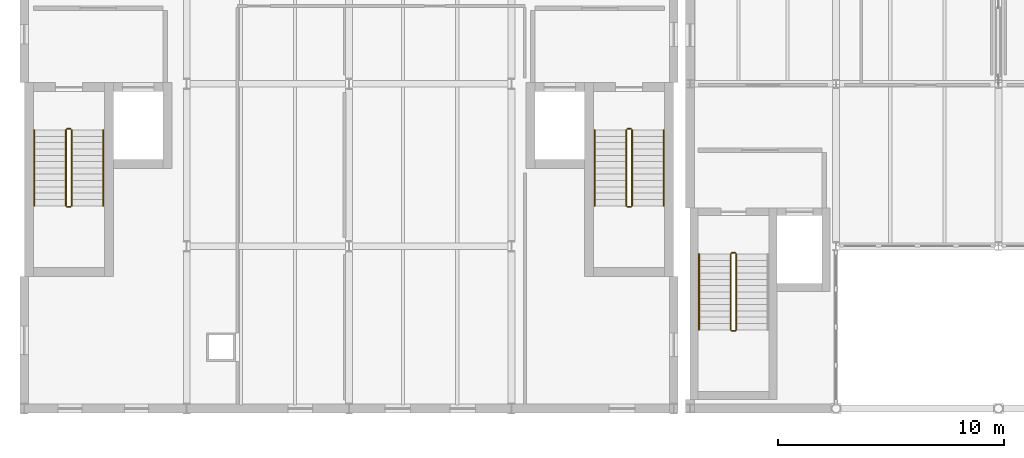
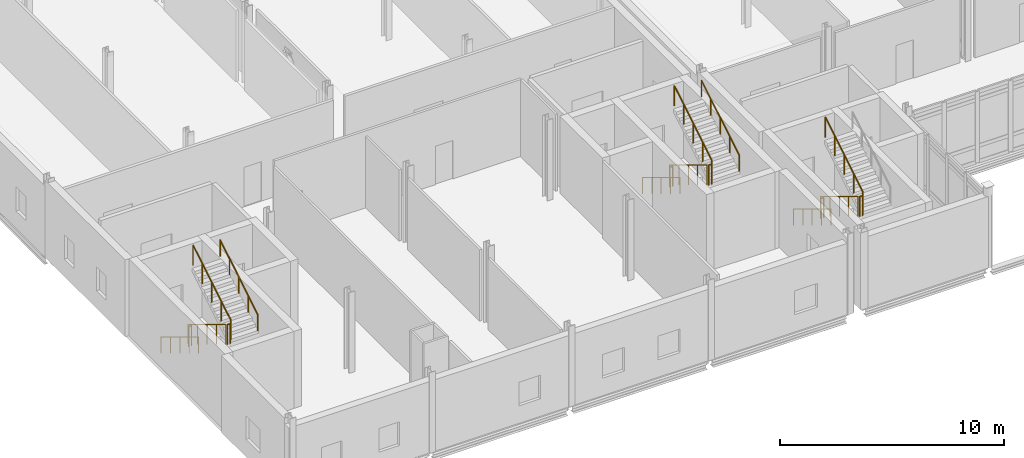
# One storey, part 64 of 72: 17 railings.
"""IFC4 building model written with IfcOpenShell, lengths in metres."""

import ifcopenshell
import ifcopenshell.guid

model = None  # the IFC model being written
_history = None  # IfcOwnerHistory: only IFC2X3 demands one
_inside = {}  # id of a spatial element -> (the spatial element, [elements in it])
_under = {}  # id of a project, library or spatial element -> (it, [spatial elements below it])
_declared = {}  # id of a project -> (the project, [libraries it declares])
_typed = {}  # id of a type object -> (the type object, [elements of that type])
_made_of = {}  # id of a material, layer set ... -> (it, [elements and type objects made of it])


def new_model(schema):
    """Start an empty IFC model of exactly this schema.

    Asked for "IFC4X3", IfcOpenShell would pick the latest addendum, in which some entities
    have other attributes; the version numbers below select the first issue.
    IFC2X3 requires an IfcOwnerHistory on every rooted entity: one is made here for all.
    """
    global model, _history
    if schema == "IFC4X3":
        model = ifcopenshell.file(schema_version=(4, 3, 0, 0))
    else:
        model = ifcopenshell.file(schema=schema)
    _inside.clear()
    _under.clear()
    _declared.clear()
    _typed.clear()
    _made_of.clear()
    _history = None
    if model.schema == "IFC2X3":
        org = make("IfcOrganization", Name="unknown")
        user = make(
            "IfcPersonAndOrganization",
            ThePerson=make("IfcPerson", FamilyName="unknown"),
            TheOrganization=org,
        )
        app = make(
            "IfcApplication",
            ApplicationDeveloper=org,
            Version="unknown",
            ApplicationFullName="unknown",
            ApplicationIdentifier="unknown",
        )
        _history = make(
            "IfcOwnerHistory",
            OwningUser=user,
            OwningApplication=app,
            ChangeAction="ADDED",
            CreationDate=0,
        )
    return model


def make(cls, **values):
    """One entity of the class cls with the attributes given. An attribute that is None is left unset."""
    return model.create_entity(
        cls, **{name: value for name, value in values.items() if value is not None}
    )


def rooted(cls, **values):
    """An entity with a GlobalId (a new one), such as an element, a storey or a relation."""
    return make(cls, GlobalId=ifcopenshell.guid.new(), OwnerHistory=_history, **values)


def si_unit(unit_type, name, prefix=None):
    """IfcSIUnit, for example si_unit("LENGTHUNIT", "METRE", prefix="MILLI")."""
    return make("IfcSIUnit", UnitType=unit_type, Prefix=prefix, Name=name)


def assignment(units):
    """IfcUnitAssignment: the units of a project."""
    return None if units is None else make("IfcUnitAssignment", Units=units)


def point(xyz):
    """IfcCartesianPoint."""
    return None if xyz is None else make("IfcCartesianPoint", Coordinates=xyz)


def direction(xyz):
    """IfcDirection."""
    return None if xyz is None else make("IfcDirection", DirectionRatios=xyz)


def frame(location, z_axis=None, x_axis=None):
    """IfcAxis2Placement3D, a coordinate frame: its origin and axes. An axis left out is left unset."""
    return make(
        "IfcAxis2Placement3D",
        Location=point(location),
        Axis=direction(z_axis),
        RefDirection=direction(x_axis),
    )


def frame_2d(location, x_axis=None):
    """IfcAxis2Placement2D, a coordinate frame in the plane: its origin and x axis."""
    return make(
        "IfcAxis2Placement2D", Location=point(location), RefDirection=direction(x_axis)
    )


def origin():
    """The frame at (0, 0, 0) with its axes left unset."""
    return frame((0.0, 0.0, 0.0))


def origin_2d():
    """The frame at (0, 0) in the plane with its x axis left unset."""
    return frame_2d((0.0, 0.0))


def place(relative_to, where):
    """IfcLocalPlacement: puts the frame where relative to a parent placement (None: the world)."""
    return make(
        "IfcLocalPlacement", PlacementRelTo=relative_to, RelativePlacement=where
    )


def context(
    kind, dimensions, precision=None, world=None, true_north=None, identifier=None
):
    """IfcGeometricRepresentationContext, for example the 3D "Model" context."""
    return make(
        "IfcGeometricRepresentationContext",
        ContextIdentifier=identifier,
        ContextType=kind,
        CoordinateSpaceDimension=dimensions,
        Precision=precision,
        WorldCoordinateSystem=world,
        TrueNorth=true_north,
    )


def subcontext(parent, identifier, kind, view, scale=None):
    """IfcGeometricRepresentationSubContext, for example "Body" below "Model"."""
    return make(
        "IfcGeometricRepresentationSubContext",
        ContextIdentifier=identifier,
        ContextType=kind,
        ParentContext=parent,
        TargetScale=scale,
        TargetView=view,
    )


def project(units=None, contexts=None):
    """IfcProject with its units and contexts."""
    return rooted(
        "IfcProject",
        Name="project",
        RepresentationContexts=contexts,
        UnitsInContext=assignment(units),
    )


def spatial(cls, under=None, at=None, **own):
    """A site, building, storey or space (cls), placed at a placement, below another one or the project."""
    s = rooted(cls, ObjectPlacement=at, **own)
    if under is not None:
        _under.setdefault(under.id(), (under, []))[1].append(s)
    return s


def profile(cls, at=None, kind="AREA", **sizes):
    """A parametric profile (cls). Its sizes go by their IFC names, for example OverallWidth=200.0."""
    return make(cls, ProfileType=kind, Position=at, **sizes)


def circle(**sizes):
    """IfcCircleProfileDef."""
    return profile("IfcCircleProfileDef", **sizes)


def extrude(swept, where, along, depth):
    """IfcExtrudedAreaSolid: the profile swept, set in the frame where, extruded along a direction by depth."""
    return make(
        "IfcExtrudedAreaSolid",
        SweptArea=swept,
        Position=where,
        ExtrudedDirection=direction(along),
        Depth=depth,
    )


def shape(context_of_items, identifier, shape_type, items):
    """IfcShapeRepresentation: the items that make up one representation, for example the "Body"."""
    return make(
        "IfcShapeRepresentation",
        ContextOfItems=context_of_items,
        RepresentationIdentifier=identifier,
        RepresentationType=shape_type,
        Items=items,
    )


def material(Name=None, Category=None):
    """IfcMaterial."""
    return make("IfcMaterial", Name=Name, Category=Category)


def layer(
    of_material, thickness, ventilated=None, Name=None, Category=None, Priority=None
):
    """IfcMaterialLayer: one layer of a wall or slab, of a material (None: an air gap)."""
    return make(
        "IfcMaterialLayer",
        Material=of_material,
        LayerThickness=thickness,
        IsVentilated=ventilated,
        Name=Name,
        Category=Category,
        Priority=Priority,
    )


def layer_set(layers, Name=None):
    """IfcMaterialLayerSet."""
    return make("IfcMaterialLayerSet", MaterialLayers=layers, LayerSetName=Name)


def made_of(thing, what):
    """Note that an element or type object is made of a material, layer set ...; save() writes the relation."""
    if what is not None:
        _made_of.setdefault(what.id(), (what, []))[1].append(thing)
    return thing


def type_object(cls, material=None, **own):
    """A type object (cls), such as IfcWallType, which elements share."""
    return made_of(rooted(cls, **own), material)


def element(
    cls,
    number,
    at=None,
    inside=None,
    cuts=None,
    type_object=None,
    material=None,
    context=None,
    identifier="Body",
    shape_type=None,
    held_by="IfcProductDefinitionShape",
    body=None,
    shapes=None,
    **own,
):
    """One element of the class cls, such as IfcWall. Its Tag is "e" and its number.

    at: its placement. inside: the storey or other place that contains it. cuts: it is an
    opening in that element (IfcRelVoidsElement). A single representation is given by context,
    identifier, shape_type and body (its items); several are given by shapes. held_by: the class
    of the entity that holds the representations. save() writes the other relations.
    """
    e = rooted(cls, Tag="e%d" % number, ObjectPlacement=at, **own)
    if body is not None:
        shapes = [shape(context, identifier, shape_type, body)]
    if shapes is not None:
        e.Representation = make(held_by, Representations=shapes)
    if inside is not None:
        _inside.setdefault(inside.id(), (inside, []))[1].append(e)
    if cuts is not None:
        rooted(
            "IfcRelVoidsElement", RelatingBuildingElement=cuts, RelatedOpeningElement=e
        )
    if type_object is not None:
        _typed.setdefault(type_object.id(), (type_object, []))[1].append(e)
    return made_of(e, material)


def aggregate(whole, parts):
    """IfcRelAggregates: a whole, such as a stair, and the parts it consists of."""
    return rooted("IfcRelAggregates", RelatingObject=whole, RelatedObjects=parts)


def save(model, path):
    """Write the relations noted so far, then the file.

    IfcRelAggregates (storeys below a building ...), IfcRelContainedInSpatialStructure (elements
    in a storey), IfcRelDefinesByType, IfcRelAssociatesMaterial and IfcRelDeclares: one each for
    every whole, place, type object, material and project.
    """
    for whole, parts in _under.values():
        aggregate(whole, parts)
    for where, things in _inside.values():
        rooted(
            "IfcRelContainedInSpatialStructure",
            RelatedElements=things,
            RelatingStructure=where,
        )
    for kind, things in _typed.values():
        rooted("IfcRelDefinesByType", RelatedObjects=things, RelatingType=kind)
    for what, things in _made_of.values():
        rooted("IfcRelAssociatesMaterial", RelatedObjects=things, RelatingMaterial=what)
    for by, libraries in _declared.values():
        rooted("IfcRelDeclares", RelatingContext=by, RelatedDefinitions=libraries)
    model.write(path)


model = new_model("IFC4")

# Units and contexts
model_context = context("Model", 3, precision=1e-05, world=origin(), true_north=direction((0.0, 1.0)))
body_context = subcontext(model_context, "Body", "Model", "MODEL_VIEW")
ifc_project = project(units=[si_unit("LENGTHUNIT", "METRE"), si_unit("AREAUNIT", "SQUARE_METRE"), si_unit("VOLUMEUNIT", "CUBIC_METRE"), si_unit("PLANEANGLEUNIT", "RADIAN"), si_unit("MASSUNIT", "GRAM", prefix="KILO")], contexts=[model_context])

# Site, building, storey
site_placement = place(None, origin())
site = spatial("IfcSite", under=ifc_project, at=site_placement, CompositionType="ELEMENT")
building_placement = place(site_placement, origin())
building = spatial("IfcBuilding", under=site, at=building_placement, Name="Zarrinpeak Specialist Clinic", CompositionType="ELEMENT")
storey_placement = place(building_placement, frame((0.0, 0.0, 9.60009765625)))
storey = spatial("IfcBuildingStorey", under=building, at=storey_placement, Name="L02", CompositionType="ELEMENT", Elevation=9.60009765625)

# Railings
ifc_material_1 = material(Name="Laminated Safety Glass and Stainless Steel 316", Category="steel")
ifc_layer_1 = layer(ifc_material_1, 0.06005859375)
ifc_layer_set_1 = layer_set([ifc_layer_1], Name="Laminated Safety Glass and Stainless Steel 316")
railing_type_1 = type_object("IfcRailingType", Name="RL-GRD115", PredefinedType="GUARDRAIL", material=ifc_layer_set_1)
railing_1_placement = place(storey_placement, frame((1.85009765625, 12.35009765625, 0.169189453125)))
element("IfcRailing", 1, at=railing_1_placement, inside=storey, type_object=railing_type_1, Name="L02 ST-01 stair guard 1", PredefinedType="GUARDRAIL", context=body_context, shape_type="SweptSolid", body=[
    extrude(circle(Radius=0.02392578125, at=origin_2d()), frame((0.0, 0.0, 1.076171875), z_axis=(0.0, -0.855836976705, 0.517245656632), x_axis=(1.0, 0.0, 0.0)), (0.0, 0.0, 1.0), 3.926025390625),
    extrude(circle(Radius=0.02099609375, at=origin_2d()), origin(), (0.0, 0.0, 1.0), 1.052001953125),
    extrude(circle(Radius=0.02099609375, at=origin_2d()), frame((0.0, -0.840087890625, 0.5078125)), (0.0, 0.0, 1.0), 1.052001953125),
    extrude(circle(Radius=0.02099609375, at=origin_2d()), frame((0.0, -1.68017578125, 1.015380859375)), (0.0, 0.0, 1.0), 1.052001953125),
    extrude(circle(Radius=0.02099609375, at=origin_2d()), frame((0.0, -2.52001953125, 1.52294921875)), (0.0, 0.0, 1.0), 1.052001953125),
    extrude(circle(Radius=0.02099609375, at=origin_2d()), frame((0.0, -3.360107421875, 2.03076171875)), (0.0, 0.0, 1.0), 1.052001953125),
])
railing_2_placement = place(storey_placement, frame((1.89990234375, 8.93994140625, 2.199951171875)))
element("IfcRailing", 2, at=railing_2_placement, inside=storey, type_object=railing_type_1, Name="L02 ST-01 stair guard 2", PredefinedType="GUARDRAIL", context=body_context, shape_type="SweptSolid", body=[
    extrude(circle(Radius=0.02392578125, at=origin_2d()), frame((0.0, 0.0, 1.076171875), z_axis=(1.0, 0.0, 0.0), x_axis=(0.0, 1.0, 0.0)), (0.0, 0.0, 1.0), 0.150146484375),
    extrude(circle(Radius=0.02099609375, at=origin_2d()), origin(), (0.0, 0.0, 1.0), 1.052001953125),
    extrude(circle(Radius=0.02099609375, at=origin_2d()), frame((0.150146484375, 0.0, 0.0)), (0.0, 0.0, 1.0), 1.052001953125),
])
railing_3_placement = place(storey_placement, frame((2.10009765625, 8.989990234375, 2.369140625)))
element("IfcRailing", 3, at=railing_3_placement, inside=storey, type_object=railing_type_1, Name="L02 ST-01 stair guard 3", PredefinedType="GUARDRAIL", context=body_context, shape_type="SweptSolid", body=[
    extrude(circle(Radius=0.02392578125, at=origin_2d()), frame((0.0, 0.0, 1.076171875), z_axis=(0.0, 0.855836976705, 0.517245656632), x_axis=(-1.0, 0.0, 0.0)), (0.0, 0.0, 1.0), 3.926025390625),
    extrude(circle(Radius=0.02099609375, at=origin_2d()), origin(), (0.0, 0.0, 1.0), 1.052001953125),
    extrude(circle(Radius=0.02099609375, at=origin_2d()), frame((0.0, 0.840087890625, 0.5078125)), (0.0, 0.0, 1.0), 1.052001953125),
    extrude(circle(Radius=0.02099609375, at=origin_2d()), frame((0.0, 1.68017578125, 1.015380859375)), (0.0, 0.0, 1.0), 1.052001953125),
    extrude(circle(Radius=0.02099609375, at=origin_2d()), frame((0.0, 2.52001953125, 1.52294921875)), (0.0, 0.0, 1.0), 1.052001953125),
    extrude(circle(Radius=0.02099609375, at=origin_2d()), frame((0.0, 3.360107421875, 2.03076171875)), (0.0, 0.0, 1.0), 1.052001953125),
])
railing_4_placement = place(storey_placement, frame((1.89990234375, 12.39990234375, 0.0)))
element("IfcRailing", 4, at=railing_4_placement, inside=storey, type_object=railing_type_1, Name="L02 ST-01 stair guard 4", PredefinedType="GUARDRAIL", context=body_context, shape_type="SweptSolid", body=[
    extrude(circle(Radius=0.02392578125, at=origin_2d()), frame((0.0, 0.0, 1.076171875), z_axis=(1.0, 0.0, 0.0), x_axis=(0.0, 1.0, 0.0)), (0.0, 0.0, 1.0), 0.150146484375),
    extrude(circle(Radius=0.02099609375, at=origin_2d()), origin(), (0.0, 0.0, 1.0), 1.052001953125),
    extrude(circle(Radius=0.02099609375, at=origin_2d()), frame((0.150146484375, 0.0, 0.0)), (0.0, 0.0, 1.0), 1.052001953125),
])
railing_5_placement = place(storey_placement, frame((26.699951171875, 12.35009765625, 0.169189453125)))
element("IfcRailing", 5, at=railing_5_placement, inside=storey, type_object=railing_type_1, Name="L02 ST-02 stair guard 1", PredefinedType="GUARDRAIL", context=body_context, shape_type="SweptSolid", body=[
    extrude(circle(Radius=0.02392578125, at=origin_2d()), frame((0.0, 0.0, 1.076171875), z_axis=(0.0, -0.855836976705, 0.517245656632), x_axis=(1.0, 0.0, 0.0)), (0.0, 0.0, 1.0), 3.926025390625),
    extrude(circle(Radius=0.02099609375, at=origin_2d()), origin(), (0.0, 0.0, 1.0), 1.052001953125),
    extrude(circle(Radius=0.02099609375, at=origin_2d()), frame((0.0, -0.840087890625, 0.5078125)), (0.0, 0.0, 1.0), 1.052001953125),
    extrude(circle(Radius=0.02099609375, at=origin_2d()), frame((0.0, -1.68017578125, 1.015380859375)), (0.0, 0.0, 1.0), 1.052001953125),
    extrude(circle(Radius=0.02099609375, at=origin_2d()), frame((0.0, -2.52001953125, 1.52294921875)), (0.0, 0.0, 1.0), 1.052001953125),
    extrude(circle(Radius=0.02099609375, at=origin_2d()), frame((0.0, -3.360107421875, 2.03076171875)), (0.0, 0.0, 1.0), 1.052001953125),
])
railing_6_placement = place(storey_placement, frame((26.75, 8.93994140625, 2.199951171875)))
element("IfcRailing", 6, at=railing_6_placement, inside=storey, type_object=railing_type_1, Name="L02 ST-02 stair guard 2", PredefinedType="GUARDRAIL", context=body_context, shape_type="SweptSolid", body=[
    extrude(circle(Radius=0.02392578125, at=origin_2d()), frame((0.0, 0.0, 1.076171875), z_axis=(1.0, 0.0, 0.0), x_axis=(0.0, 1.0, 0.0)), (0.0, 0.0, 1.0), 0.14990234375),
    extrude(circle(Radius=0.02099609375, at=origin_2d()), origin(), (0.0, 0.0, 1.0), 1.052001953125),
    extrude(circle(Radius=0.02099609375, at=origin_2d()), frame((0.14990234375, 0.0, 0.0)), (0.0, 0.0, 1.0), 1.052001953125),
])
railing_7_placement = place(storey_placement, frame((26.949951171875, 8.989990234375, 2.369140625)))
element("IfcRailing", 7, at=railing_7_placement, inside=storey, type_object=railing_type_1, Name="L02 ST-02 stair guard 3", PredefinedType="GUARDRAIL", context=body_context, shape_type="SweptSolid", body=[
    extrude(circle(Radius=0.02392578125, at=origin_2d()), frame((0.0, 0.0, 1.076171875), z_axis=(0.0, 0.855836976705, 0.517245656632), x_axis=(-1.0, 0.0, 0.0)), (0.0, 0.0, 1.0), 3.926025390625),
    extrude(circle(Radius=0.02099609375, at=origin_2d()), origin(), (0.0, 0.0, 1.0), 1.052001953125),
    extrude(circle(Radius=0.02099609375, at=origin_2d()), frame((0.0, 0.840087890625, 0.5078125)), (0.0, 0.0, 1.0), 1.052001953125),
    extrude(circle(Radius=0.02099609375, at=origin_2d()), frame((0.0, 1.68017578125, 1.015380859375)), (0.0, 0.0, 1.0), 1.052001953125),
    extrude(circle(Radius=0.02099609375, at=origin_2d()), frame((0.0, 2.52001953125, 1.52294921875)), (0.0, 0.0, 1.0), 1.052001953125),
    extrude(circle(Radius=0.02099609375, at=origin_2d()), frame((0.0, 3.360107421875, 2.03076171875)), (0.0, 0.0, 1.0), 1.052001953125),
])
railing_8_placement = place(storey_placement, frame((26.75, 12.39990234375, 0.0)))
element("IfcRailing", 8, at=railing_8_placement, inside=storey, type_object=railing_type_1, Name="L02 ST-02 stair guard 4", PredefinedType="GUARDRAIL", context=body_context, shape_type="SweptSolid", body=[
    extrude(circle(Radius=0.02392578125, at=origin_2d()), frame((0.0, 0.0, 1.076171875), z_axis=(1.0, 0.0, 0.0), x_axis=(0.0, 1.0, 0.0)), (0.0, 0.0, 1.0), 0.14990234375),
    extrude(circle(Radius=0.02099609375, at=origin_2d()), origin(), (0.0, 0.0, 1.0), 1.052001953125),
    extrude(circle(Radius=0.02099609375, at=origin_2d()), frame((0.14990234375, 0.0, 0.0)), (0.0, 0.0, 1.0), 1.052001953125),
])
railing_9_placement = place(storey_placement, frame((31.320068359375, 6.85009765625, 0.169189453125)))
element("IfcRailing", 9, at=railing_9_placement, inside=storey, type_object=railing_type_1, Name="L02 ST-03 stair guard 1", PredefinedType="GUARDRAIL", context=body_context, shape_type="SweptSolid", body=[
    extrude(circle(Radius=0.02392578125, at=origin_2d()), frame((0.0, 0.0, 1.076171875), z_axis=(0.0, -0.855836976705, 0.517245656632), x_axis=(1.0, 0.0, 0.0)), (0.0, 0.0, 1.0), 3.926025390625),
    extrude(circle(Radius=0.02099609375, at=origin_2d()), origin(), (0.0, 0.0, 1.0), 1.052001953125),
    extrude(circle(Radius=0.02099609375, at=origin_2d()), frame((0.0, -0.840087890625, 0.5078125)), (0.0, 0.0, 1.0), 1.052001953125),
    extrude(circle(Radius=0.02099609375, at=origin_2d()), frame((0.0, -1.68017578125, 1.015380859375)), (0.0, 0.0, 1.0), 1.052001953125),
    extrude(circle(Radius=0.02099609375, at=origin_2d()), frame((0.0, -2.52001953125, 1.52294921875)), (0.0, 0.0, 1.0), 1.052001953125),
    extrude(circle(Radius=0.02099609375, at=origin_2d()), frame((0.0, -3.360107421875, 2.03076171875)), (0.0, 0.0, 1.0), 1.052001953125),
])
railing_10_placement = place(storey_placement, frame((31.3701171875, 3.43994140625, 2.199951171875)))
element("IfcRailing", 10, at=railing_10_placement, inside=storey, type_object=railing_type_1, Name="L02 ST-03 stair guard 2", PredefinedType="GUARDRAIL", context=body_context, shape_type="SweptSolid", body=[
    extrude(circle(Radius=0.02392578125, at=origin_2d()), frame((0.0, 0.0, 1.076171875), z_axis=(1.0, 0.0, 0.0), x_axis=(0.0, 1.0, 0.0)), (0.0, 0.0, 1.0), 0.14990234375),
    extrude(circle(Radius=0.02099609375, at=origin_2d()), origin(), (0.0, 0.0, 1.0), 1.052001953125),
    extrude(circle(Radius=0.02099609375, at=origin_2d()), frame((0.14990234375, 0.0, 0.0)), (0.0, 0.0, 1.0), 1.052001953125),
])
railing_11_placement = place(storey_placement, frame((31.570068359375, 3.489990234375, 2.369140625)))
element("IfcRailing", 11, at=railing_11_placement, inside=storey, type_object=railing_type_1, Name="L02 ST-03 stair guard 3", PredefinedType="GUARDRAIL", context=body_context, shape_type="SweptSolid", body=[
    extrude(circle(Radius=0.02392578125, at=origin_2d()), frame((0.0, 0.0, 1.076171875), z_axis=(0.0, 0.855836976705, 0.517245656632), x_axis=(-1.0, 0.0, 0.0)), (0.0, 0.0, 1.0), 3.926025390625),
    extrude(circle(Radius=0.02099609375, at=origin_2d()), origin(), (0.0, 0.0, 1.0), 1.052001953125),
    extrude(circle(Radius=0.02099609375, at=origin_2d()), frame((0.0, 0.840087890625, 0.5078125)), (0.0, 0.0, 1.0), 1.052001953125),
    extrude(circle(Radius=0.02099609375, at=origin_2d()), frame((0.0, 1.68017578125, 1.015380859375)), (0.0, 0.0, 1.0), 1.052001953125),
    extrude(circle(Radius=0.02099609375, at=origin_2d()), frame((0.0, 2.52001953125, 1.52294921875)), (0.0, 0.0, 1.0), 1.052001953125),
    extrude(circle(Radius=0.02099609375, at=origin_2d()), frame((0.0, 3.360107421875, 2.03076171875)), (0.0, 0.0, 1.0), 1.052001953125),
])
railing_12_placement = place(storey_placement, frame((31.3701171875, 6.89990234375, 0.0)))
element("IfcRailing", 12, at=railing_12_placement, inside=storey, type_object=railing_type_1, Name="L02 ST-03 stair guard 4", PredefinedType="GUARDRAIL", context=body_context, shape_type="SweptSolid", body=[
    extrude(circle(Radius=0.02392578125, at=origin_2d()), frame((0.0, 0.0, 1.076171875), z_axis=(1.0, 0.0, 0.0), x_axis=(0.0, 1.0, 0.0)), (0.0, 0.0, 1.0), 0.14990234375),
    extrude(circle(Radius=0.02099609375, at=origin_2d()), origin(), (0.0, 0.0, 1.0), 1.052001953125),
    extrude(circle(Radius=0.02099609375, at=origin_2d()), frame((0.14990234375, 0.0, 0.0)), (0.0, 0.0, 1.0), 1.052001953125),
])
ifc_material_2 = material(Name="Brushed Stainless Steel 316 Handrail", Category="steel")
ifc_layer_2 = layer(ifc_material_2, 0.050048828125)
ifc_layer_set_2 = layer_set([ifc_layer_2], Name="Brushed Stainless Steel 316 Handrail")
railing_type_2 = type_object("IfcRailingType", Name="RL-HND92", PredefinedType="HANDRAIL", material=ifc_layer_set_2)
railing_13_placement = place(storey_placement, frame((0.449951171875, 12.35009765625, 0.169189453125)))
element("IfcRailing", 13, at=railing_13_placement, inside=storey, type_object=railing_type_2, Name="L02 ST-01 stair handrail 1", PredefinedType="HANDRAIL", context=body_context, shape_type="SweptSolid", body=[
    extrude(circle(Radius=0.02392578125, at=origin_2d()), frame((0.0, 0.0, 0.8759765625), z_axis=(0.0, -0.855836976705, 0.517245656632), x_axis=(1.0, 0.0, 0.0)), (0.0, 0.0, 1.0), 3.926025390625),
    extrude(circle(Radius=0.02099609375, at=origin_2d()), origin(), (0.0, 0.0, 1.0), 0.851806640625),
    extrude(circle(Radius=0.02099609375, at=origin_2d()), frame((0.0, -0.840087890625, 0.5078125)), (0.0, 0.0, 1.0), 0.851806640625),
    extrude(circle(Radius=0.02099609375, at=origin_2d()), frame((0.0, -1.68017578125, 1.015380859375)), (0.0, 0.0, 1.0), 0.851806640625),
    extrude(circle(Radius=0.02099609375, at=origin_2d()), frame((0.0, -2.52001953125, 1.52294921875)), (0.0, 0.0, 1.0), 0.851806640625),
    extrude(circle(Radius=0.02099609375, at=origin_2d()), frame((0.0, -3.360107421875, 2.03076171875)), (0.0, 0.0, 1.0), 0.851806640625),
])
railing_14_placement = place(storey_placement, frame((3.5, 8.989990234375, 2.369140625)))
element("IfcRailing", 14, at=railing_14_placement, inside=storey, type_object=railing_type_2, Name="L02 ST-01 stair handrail 2", PredefinedType="HANDRAIL", context=body_context, shape_type="SweptSolid", body=[
    extrude(circle(Radius=0.02392578125, at=origin_2d()), frame((0.0, 0.0, 0.8759765625), z_axis=(0.0, 0.855836976705, 0.517245656632), x_axis=(-1.0, 0.0, 0.0)), (0.0, 0.0, 1.0), 3.926025390625),
    extrude(circle(Radius=0.02099609375, at=origin_2d()), origin(), (0.0, 0.0, 1.0), 0.851806640625),
    extrude(circle(Radius=0.02099609375, at=origin_2d()), frame((0.0, 0.840087890625, 0.5078125)), (0.0, 0.0, 1.0), 0.851806640625),
    extrude(circle(Radius=0.02099609375, at=origin_2d()), frame((0.0, 1.68017578125, 1.015380859375)), (0.0, 0.0, 1.0), 0.851806640625),
    extrude(circle(Radius=0.02099609375, at=origin_2d()), frame((0.0, 2.52001953125, 1.52294921875)), (0.0, 0.0, 1.0), 0.851806640625),
    extrude(circle(Radius=0.02099609375, at=origin_2d()), frame((0.0, 3.360107421875, 2.03076171875)), (0.0, 0.0, 1.0), 0.851806640625),
])
railing_15_placement = place(storey_placement, frame((25.300048828125, 12.35009765625, 0.169189453125)))
element("IfcRailing", 15, at=railing_15_placement, inside=storey, type_object=railing_type_2, Name="L02 ST-02 stair handrail 1", PredefinedType="HANDRAIL", context=body_context, shape_type="SweptSolid", body=[
    extrude(circle(Radius=0.02392578125, at=origin_2d()), frame((0.0, 0.0, 0.8759765625), z_axis=(0.0, -0.855836976705, 0.517245656632), x_axis=(1.0, 0.0, 0.0)), (0.0, 0.0, 1.0), 3.926025390625),
    extrude(circle(Radius=0.02099609375, at=origin_2d()), origin(), (0.0, 0.0, 1.0), 0.851806640625),
    extrude(circle(Radius=0.02099609375, at=origin_2d()), frame((0.0, -0.840087890625, 0.5078125)), (0.0, 0.0, 1.0), 0.851806640625),
    extrude(circle(Radius=0.02099609375, at=origin_2d()), frame((0.0, -1.68017578125, 1.015380859375)), (0.0, 0.0, 1.0), 0.851806640625),
    extrude(circle(Radius=0.02099609375, at=origin_2d()), frame((0.0, -2.52001953125, 1.52294921875)), (0.0, 0.0, 1.0), 0.851806640625),
    extrude(circle(Radius=0.02099609375, at=origin_2d()), frame((0.0, -3.360107421875, 2.03076171875)), (0.0, 0.0, 1.0), 0.851806640625),
])
railing_16_placement = place(storey_placement, frame((28.35009765625, 8.989990234375, 2.369140625)))
element("IfcRailing", 16, at=railing_16_placement, inside=storey, type_object=railing_type_2, Name="L02 ST-02 stair handrail 2", PredefinedType="HANDRAIL", context=body_context, shape_type="SweptSolid", body=[
    extrude(circle(Radius=0.02392578125, at=origin_2d()), frame((0.0, 0.0, 0.8759765625), z_axis=(0.0, 0.855836976705, 0.517245656632), x_axis=(-1.0, 0.0, 0.0)), (0.0, 0.0, 1.0), 3.926025390625),
    extrude(circle(Radius=0.02099609375, at=origin_2d()), origin(), (0.0, 0.0, 1.0), 0.851806640625),
    extrude(circle(Radius=0.02099609375, at=origin_2d()), frame((0.0, 0.840087890625, 0.5078125)), (0.0, 0.0, 1.0), 0.851806640625),
    extrude(circle(Radius=0.02099609375, at=origin_2d()), frame((0.0, 1.68017578125, 1.015380859375)), (0.0, 0.0, 1.0), 0.851806640625),
    extrude(circle(Radius=0.02099609375, at=origin_2d()), frame((0.0, 2.52001953125, 1.52294921875)), (0.0, 0.0, 1.0), 0.851806640625),
    extrude(circle(Radius=0.02099609375, at=origin_2d()), frame((0.0, 3.360107421875, 2.03076171875)), (0.0, 0.0, 1.0), 0.851806640625),
])
railing_17_placement = place(storey_placement, frame((29.919921875, 6.85009765625, 0.169189453125)))
element("IfcRailing", 17, at=railing_17_placement, inside=storey, type_object=railing_type_2, Name="L02 ST-03 stair handrail 1", PredefinedType="HANDRAIL", context=body_context, shape_type="SweptSolid", body=[
    extrude(circle(Radius=0.02392578125, at=origin_2d()), frame((0.0, 0.0, 0.8759765625), z_axis=(0.0, -0.855836976705, 0.517245656632), x_axis=(1.0, 0.0, 0.0)), (0.0, 0.0, 1.0), 3.926025390625),
    extrude(circle(Radius=0.02099609375, at=origin_2d()), origin(), (0.0, 0.0, 1.0), 0.851806640625),
    extrude(circle(Radius=0.02099609375, at=origin_2d()), frame((0.0, -0.840087890625, 0.5078125)), (0.0, 0.0, 1.0), 0.851806640625),
    extrude(circle(Radius=0.02099609375, at=origin_2d()), frame((0.0, -1.68017578125, 1.015380859375)), (0.0, 0.0, 1.0), 0.851806640625),
    extrude(circle(Radius=0.02099609375, at=origin_2d()), frame((0.0, -2.52001953125, 1.52294921875)), (0.0, 0.0, 1.0), 0.851806640625),
    extrude(circle(Radius=0.02099609375, at=origin_2d()), frame((0.0, -3.360107421875, 2.03076171875)), (0.0, 0.0, 1.0), 0.851806640625),
])

save(model, "model.ifc")
